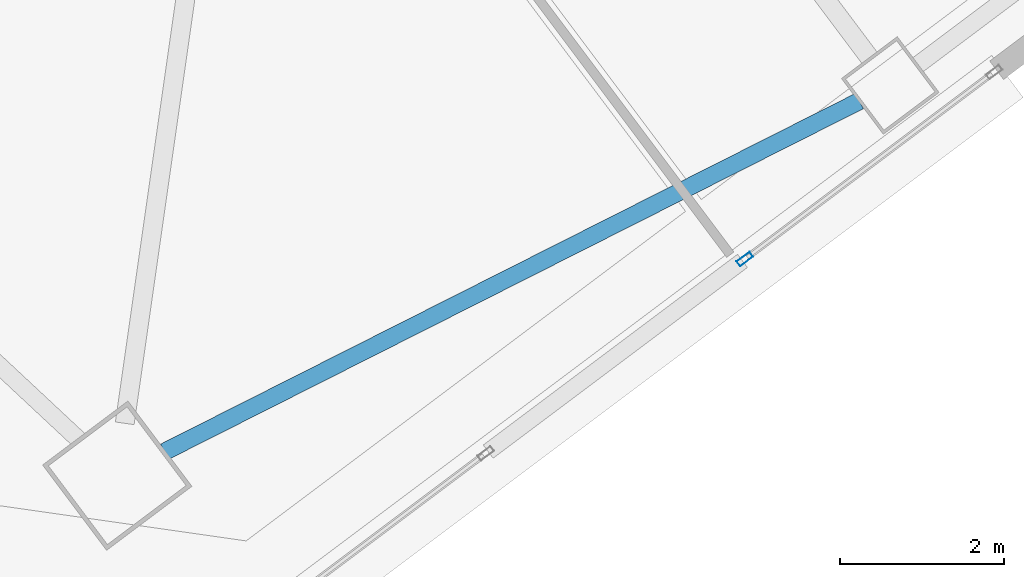
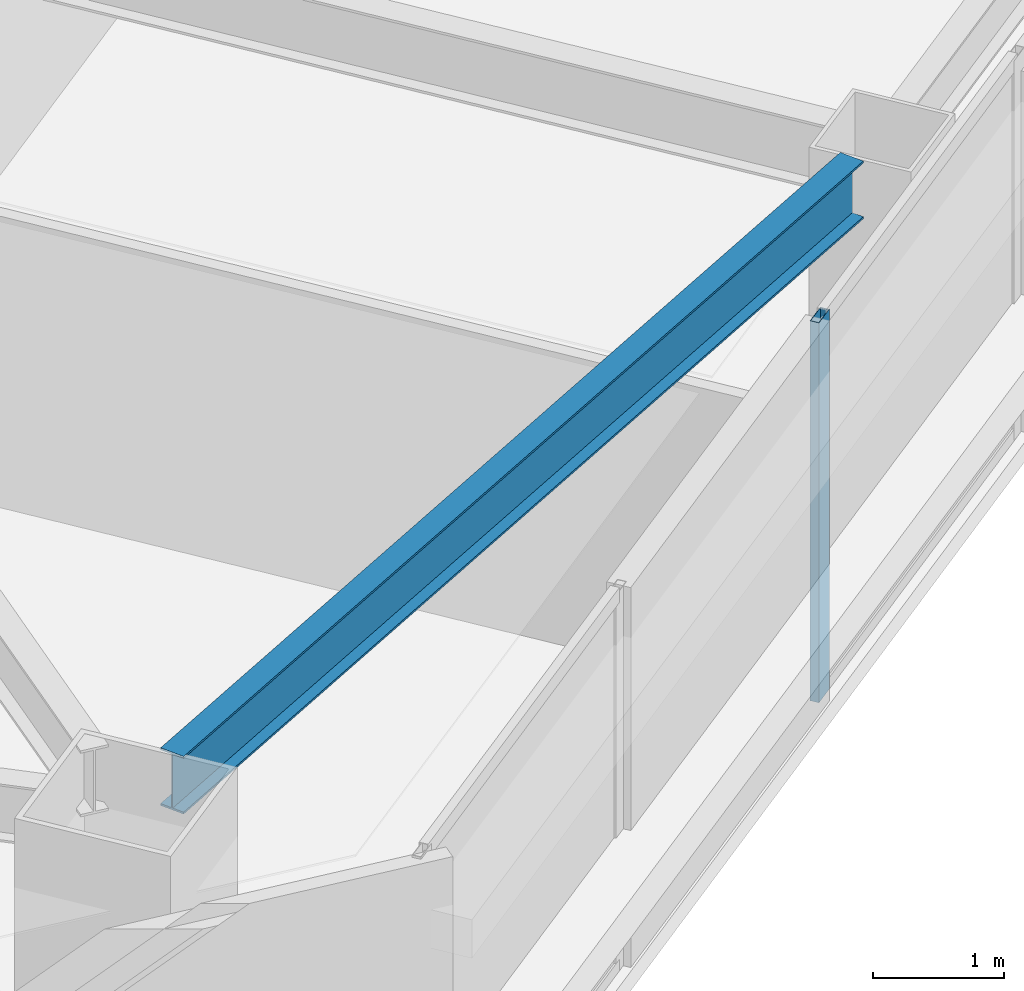
# One storey, part 21 of 46: 1 beam, 1 member, 1 element without a shape of its own.
"""IFC4 building model written with IfcOpenShell, lengths in metres."""

import ifcopenshell
import ifcopenshell.guid

model = None  # the IFC model being written
_history = None  # IfcOwnerHistory: only IFC2X3 demands one
_inside = {}  # id of a spatial element -> (the spatial element, [elements in it])
_under = {}  # id of a project, library or spatial element -> (it, [spatial elements below it])
_declared = {}  # id of a project -> (the project, [libraries it declares])
_typed = {}  # id of a type object -> (the type object, [elements of that type])
_made_of = {}  # id of a material, layer set ... -> (it, [elements and type objects made of it])


def new_model(schema):
    """Start an empty IFC model of exactly this schema.

    Asked for "IFC4X3", IfcOpenShell would pick the latest addendum, in which some entities
    have other attributes; the version numbers below select the first issue.
    IFC2X3 requires an IfcOwnerHistory on every rooted entity: one is made here for all.
    """
    global model, _history
    if schema == "IFC4X3":
        model = ifcopenshell.file(schema_version=(4, 3, 0, 0))
    else:
        model = ifcopenshell.file(schema=schema)
    _inside.clear()
    _under.clear()
    _declared.clear()
    _typed.clear()
    _made_of.clear()
    _history = None
    if model.schema == "IFC2X3":
        org = make("IfcOrganization", Name="unknown")
        user = make(
            "IfcPersonAndOrganization",
            ThePerson=make("IfcPerson", FamilyName="unknown"),
            TheOrganization=org,
        )
        app = make(
            "IfcApplication",
            ApplicationDeveloper=org,
            Version="unknown",
            ApplicationFullName="unknown",
            ApplicationIdentifier="unknown",
        )
        _history = make(
            "IfcOwnerHistory",
            OwningUser=user,
            OwningApplication=app,
            ChangeAction="ADDED",
            CreationDate=0,
        )
    return model


def make(cls, **values):
    """One entity of the class cls with the attributes given. An attribute that is None is left unset."""
    return model.create_entity(
        cls, **{name: value for name, value in values.items() if value is not None}
    )


def rooted(cls, **values):
    """An entity with a GlobalId (a new one), such as an element, a storey or a relation."""
    return make(cls, GlobalId=ifcopenshell.guid.new(), OwnerHistory=_history, **values)


def si_unit(unit_type, name, prefix=None):
    """IfcSIUnit, for example si_unit("LENGTHUNIT", "METRE", prefix="MILLI")."""
    return make("IfcSIUnit", UnitType=unit_type, Prefix=prefix, Name=name)


def assignment(units):
    """IfcUnitAssignment: the units of a project."""
    return None if units is None else make("IfcUnitAssignment", Units=units)


def point(xyz):
    """IfcCartesianPoint."""
    return None if xyz is None else make("IfcCartesianPoint", Coordinates=xyz)


def direction(xyz):
    """IfcDirection."""
    return None if xyz is None else make("IfcDirection", DirectionRatios=xyz)


def frame(location, z_axis=None, x_axis=None):
    """IfcAxis2Placement3D, a coordinate frame: its origin and axes. An axis left out is left unset."""
    return make(
        "IfcAxis2Placement3D",
        Location=point(location),
        Axis=direction(z_axis),
        RefDirection=direction(x_axis),
    )


def frame_2d(location, x_axis=None):
    """IfcAxis2Placement2D, a coordinate frame in the plane: its origin and x axis."""
    return make(
        "IfcAxis2Placement2D", Location=point(location), RefDirection=direction(x_axis)
    )


def origin():
    """The frame at (0, 0, 0) with its axes left unset."""
    return frame((0.0, 0.0, 0.0))


def origin_2d():
    """The frame at (0, 0) in the plane with its x axis left unset."""
    return frame_2d((0.0, 0.0))


def place(relative_to, where):
    """IfcLocalPlacement: puts the frame where relative to a parent placement (None: the world)."""
    return make(
        "IfcLocalPlacement", PlacementRelTo=relative_to, RelativePlacement=where
    )


def context(
    kind, dimensions, precision=None, world=None, true_north=None, identifier=None
):
    """IfcGeometricRepresentationContext, for example the 3D "Model" context."""
    return make(
        "IfcGeometricRepresentationContext",
        ContextIdentifier=identifier,
        ContextType=kind,
        CoordinateSpaceDimension=dimensions,
        Precision=precision,
        WorldCoordinateSystem=world,
        TrueNorth=true_north,
    )


def subcontext(parent, identifier, kind, view, scale=None):
    """IfcGeometricRepresentationSubContext, for example "Body" below "Model"."""
    return make(
        "IfcGeometricRepresentationSubContext",
        ContextIdentifier=identifier,
        ContextType=kind,
        ParentContext=parent,
        TargetScale=scale,
        TargetView=view,
    )


def project(units=None, contexts=None):
    """IfcProject with its units and contexts."""
    return rooted(
        "IfcProject",
        Name="project",
        RepresentationContexts=contexts,
        UnitsInContext=assignment(units),
    )


def spatial(cls, under=None, at=None, **own):
    """A site, building, storey or space (cls), placed at a placement, below another one or the project."""
    s = rooted(cls, ObjectPlacement=at, **own)
    if under is not None:
        _under.setdefault(under.id(), (under, []))[1].append(s)
    return s


def profile(cls, at=None, kind="AREA", **sizes):
    """A parametric profile (cls). Its sizes go by their IFC names, for example OverallWidth=200.0."""
    return make(cls, ProfileType=kind, Position=at, **sizes)


def hollow_rectangle(**sizes):
    """IfcRectangleHollowProfileDef."""
    return profile("IfcRectangleHollowProfileDef", **sizes)


def i_section(**sizes):
    """IfcIShapeProfileDef."""
    return profile("IfcIShapeProfileDef", **sizes)


def extrude(swept, where, along, depth):
    """IfcExtrudedAreaSolid: the profile swept, set in the frame where, extruded along a direction by depth."""
    return make(
        "IfcExtrudedAreaSolid",
        SweptArea=swept,
        Position=where,
        ExtrudedDirection=direction(along),
        Depth=depth,
    )


def shape(context_of_items, identifier, shape_type, items):
    """IfcShapeRepresentation: the items that make up one representation, for example the "Body"."""
    return make(
        "IfcShapeRepresentation",
        ContextOfItems=context_of_items,
        RepresentationIdentifier=identifier,
        RepresentationType=shape_type,
        Items=items,
    )


def material(Name=None, Category=None):
    """IfcMaterial."""
    return make("IfcMaterial", Name=Name, Category=Category)


def material_profile(
    of_material, cross_section, Name=None, Category=None, Priority=None
):
    """IfcMaterialProfile: a cross section and its material."""
    return make(
        "IfcMaterialProfile",
        Name=Name,
        Material=of_material,
        Profile=cross_section,
        Priority=Priority,
        Category=Category,
    )


def profile_set(profiles, Name=None, composite=None):
    """IfcMaterialProfileSet."""
    return make(
        "IfcMaterialProfileSet",
        Name=Name,
        MaterialProfiles=profiles,
        CompositeProfile=composite,
    )


def made_of(thing, what):
    """Note that an element or type object is made of a material, layer set ...; save() writes the relation."""
    if what is not None:
        _made_of.setdefault(what.id(), (what, []))[1].append(thing)
    return thing


def type_object(cls, material=None, **own):
    """A type object (cls), such as IfcWallType, which elements share."""
    return made_of(rooted(cls, **own), material)


def element(
    cls,
    number,
    at=None,
    inside=None,
    cuts=None,
    type_object=None,
    material=None,
    context=None,
    identifier="Body",
    shape_type=None,
    held_by="IfcProductDefinitionShape",
    body=None,
    shapes=None,
    **own,
):
    """One element of the class cls, such as IfcWall. Its Tag is "e" and its number.

    at: its placement. inside: the storey or other place that contains it. cuts: it is an
    opening in that element (IfcRelVoidsElement). A single representation is given by context,
    identifier, shape_type and body (its items); several are given by shapes. held_by: the class
    of the entity that holds the representations. save() writes the other relations.
    """
    e = rooted(cls, Tag="e%d" % number, ObjectPlacement=at, **own)
    if body is not None:
        shapes = [shape(context, identifier, shape_type, body)]
    if shapes is not None:
        e.Representation = make(held_by, Representations=shapes)
    if inside is not None:
        _inside.setdefault(inside.id(), (inside, []))[1].append(e)
    if cuts is not None:
        rooted(
            "IfcRelVoidsElement", RelatingBuildingElement=cuts, RelatedOpeningElement=e
        )
    if type_object is not None:
        _typed.setdefault(type_object.id(), (type_object, []))[1].append(e)
    return made_of(e, material)


def aggregate(whole, parts):
    """IfcRelAggregates: a whole, such as a stair, and the parts it consists of."""
    return rooted("IfcRelAggregates", RelatingObject=whole, RelatedObjects=parts)


def save(model, path):
    """Write the relations noted so far, then the file.

    IfcRelAggregates (storeys below a building ...), IfcRelContainedInSpatialStructure (elements
    in a storey), IfcRelDefinesByType, IfcRelAssociatesMaterial and IfcRelDeclares: one each for
    every whole, place, type object, material and project.
    """
    for whole, parts in _under.values():
        aggregate(whole, parts)
    for where, things in _inside.values():
        rooted(
            "IfcRelContainedInSpatialStructure",
            RelatedElements=things,
            RelatingStructure=where,
        )
    for kind, things in _typed.values():
        rooted("IfcRelDefinesByType", RelatedObjects=things, RelatingType=kind)
    for what, things in _made_of.values():
        rooted("IfcRelAssociatesMaterial", RelatedObjects=things, RelatingMaterial=what)
    for by, libraries in _declared.values():
        rooted("IfcRelDeclares", RelatingContext=by, RelatedDefinitions=libraries)
    model.write(path)


model = new_model("IFC4")

# Units and contexts
model_context = context("Model", 3, precision=1e-05, world=origin(), true_north=direction((0.0, 1.0)))
body_context = subcontext(model_context, "Body", "Model", "MODEL_VIEW")
ifc_project = project(units=[si_unit("LENGTHUNIT", "METRE"), si_unit("AREAUNIT", "SQUARE_METRE"), si_unit("VOLUMEUNIT", "CUBIC_METRE"), si_unit("PLANEANGLEUNIT", "RADIAN"), si_unit("MASSUNIT", "GRAM", prefix="KILO")], contexts=[model_context])

# Site, building, storey
site_placement = place(None, origin())
site = spatial("IfcSite", under=ifc_project, at=site_placement, CompositionType="ELEMENT")
building_placement = place(site_placement, origin())
building = spatial("IfcBuilding", under=site, at=building_placement, Name="Tashvorn Skyway Center", CompositionType="ELEMENT")
storey_placement = place(building_placement, frame((0.0, 0.0, 139.25)))
storey = spatial("IfcBuildingStorey", under=building, at=storey_placement, Name="L37", CompositionType="ELEMENT", Elevation=139.25)

# Beam
ifc_material_1 = material(Name="Steel ASTM A992 Grade 50", Category="steel")
ifc_material_profile_1 = material_profile(ifc_material_1, i_section(OverallWidth=0.2109375, OverallDepth=0.5390625, WebThickness=0.01171875, FlangeThickness=0.018798828125, at=origin_2d()), Name="W21X73")
ifc_profile_set_1 = profile_set([ifc_material_profile_1], Name="Steel ASTM A992 Grade 50")
beam_type = type_object("IfcBeamType", Name="BM-SPANDREL-W21X73", PredefinedType="SPANDREL", material=ifc_profile_set_1)
beam_placement = place(storey_placement, frame((111.415771484375, 10.170654296875, 3.1005859375), z_axis=(0.892719124217, 0.450613543136, 0.0), x_axis=(-0.450613543136, 0.892719124217, 0.0)))
element("IfcBeam", 1, at=beam_placement, inside=storey, type_object=beam_type, Name="Tower 2 L37 Spandrel Beam 01", PredefinedType="SPANDREL", context=body_context, shape_type="SweptSolid", body=[
    extrude(i_section(OverallWidth=0.2109375, OverallDepth=0.5390625, WebThickness=0.01171875, FlangeThickness=0.018798828125, at=origin_2d()), origin(), (0.0, 0.0, 1.0), 9.498291015625),
])

# Curtain wall, member
ifc_material_2 = material(Name="Thermally broken bronze-anodized aluminium 6063-T6", Category="aluminium")
curtain_wall_type = type_object("IfcCurtainWallType", Name="CW-CW-Z3", PredefinedType="NOTDEFINED", material=ifc_material_2)
curtain_wall_placement = place(storey_placement, origin())
curtain_wall = element("IfcCurtainWall", 2, at=curtain_wall_placement, inside=storey, type_object=curtain_wall_type, Name="Tower 2 L37 South Curtain Wall R Glazing Group 1", PredefinedType="NOTDEFINED")
ifc_material_profile_2 = material_profile(ifc_material_2, hollow_rectangle(XDim=0.074951171875, YDim=0.199951171875, WallThickness=0.00439453125, at=origin_2d()), Name="ALU-MULL-75x200")
ifc_profile_set_2 = profile_set([ifc_material_profile_2], Name="Thermally broken bronze-anodized aluminium 6063-T6")
member_type = type_object("IfcMemberType", Name="CWM-CW-Z3", PredefinedType="MULLION", material=ifc_profile_set_2)
member_placement = place(storey_placement, frame((118.49658203125, 12.5224609375, 0.0), z_axis=(0.0, 0.0, 1.0), x_axis=(0.600004127279, -0.799996904524, 0.0)))
member = element("IfcMember", 3, at=member_placement, type_object=member_type, Name="CW-Z3 mullion 2", PredefinedType="MULLION", context=body_context, shape_type="SweptSolid", body=[
    extrude(hollow_rectangle(XDim=0.074951171875, YDim=0.199951171875, WallThickness=0.00439453125, at=origin_2d()), origin(), (0.0, 0.0, 1.0), 3.550048828125),
])
aggregate(curtain_wall, [member])

save(model, "model.ifc")
